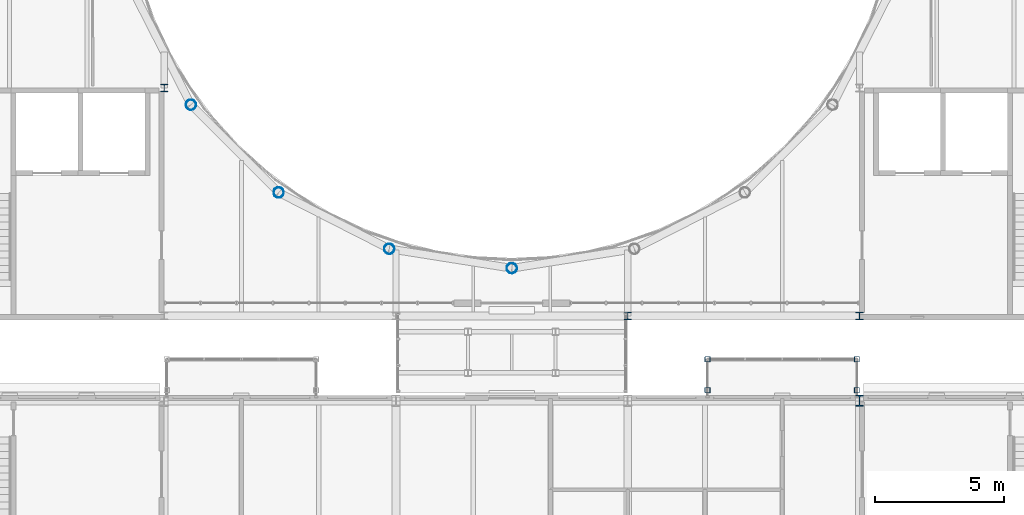
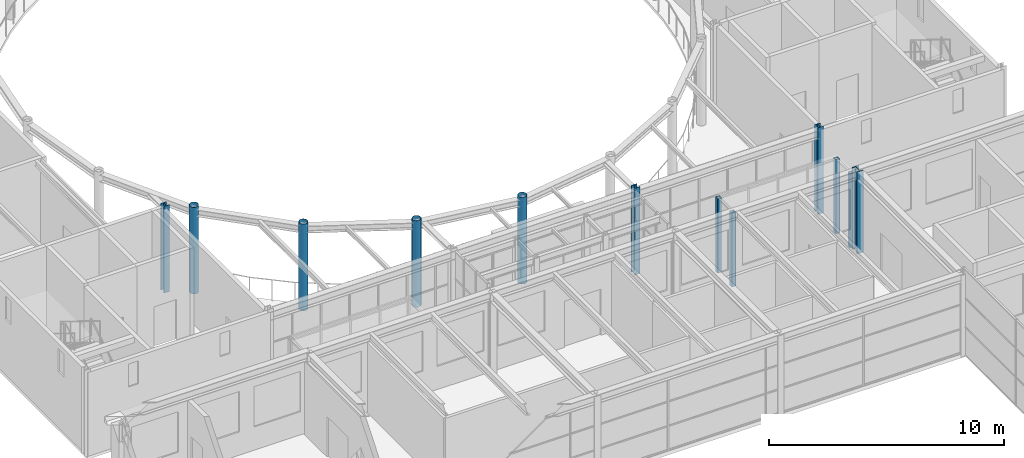
# One storey, part 5 of 70: 12 columns.
"""IFC4 building model written with IfcOpenShell, lengths in metres."""

from ifc_helpers import new_model, si_unit, direction, frame, origin, origin_2d, place, context, subcontext, project, spatial, hollow_rectangle, hollow_circle, i_section, extrude, material, material_profile, profile_set, type_object, element, save


model = new_model("IFC4")

# Units and contexts
model_context = context("Model", 3, precision=1e-05, world=origin(), true_north=direction((0.0, 1.0)))
body_context = subcontext(model_context, "Body", "Model", "MODEL_VIEW")
ifc_project = project(units=[si_unit("LENGTHUNIT", "METRE"), si_unit("AREAUNIT", "SQUARE_METRE"), si_unit("VOLUMEUNIT", "CUBIC_METRE"), si_unit("PLANEANGLEUNIT", "RADIAN"), si_unit("MASSUNIT", "GRAM", prefix="KILO")], contexts=[model_context])

# Site, building, storey
site_placement = place(None, origin())
site = spatial("IfcSite", under=ifc_project, at=site_placement, CompositionType="ELEMENT")
building_placement = place(site_placement, origin())
building = spatial("IfcBuilding", under=site, at=building_placement, Name="Kallimachos Central Library", CompositionType="ELEMENT")
storey_placement = place(building_placement, frame((0.0, 0.0, 18.89990234375)))
storey = spatial("IfcBuildingStorey", under=building, at=storey_placement, Name="L04", CompositionType="ELEMENT", Elevation=18.89990234375)

# Columns
ifc_material_1 = material(Name="Steel S355J2H", Category="steel")
ifc_material_profile_1 = material_profile(ifc_material_1, hollow_circle(Radius=0.203125, WallThickness=0.012451171875, at=origin_2d()), Name="CHS 406.4x12.5")
ifc_profile_set_1 = profile_set([ifc_material_profile_1], Name="Steel S355J2H")
column_type_1 = type_object("IfcColumnType", Name="CHS 406.4x12.5 column", PredefinedType="COLUMN", material=ifc_profile_set_1)
for number, where, z_axis, x_axis, name in (
    (1, (75.541015625, 95.34814453125, 0.0), (0.0, 0.0, 1.0), (1.0, 0.0, 0.0), "V1-COL-L04-027"),
    (2, (78.947998046875, 91.941162109375, 0.0), (0.0, 0.0, 1.0), (1.0, 0.0, 0.0), "V1-COL-L04-028"),
    (3, (83.2412109375, 89.753662109375, 0.0), (0.0, 0.0, 1.0), (1.0, 0.0, 0.0), "V1-COL-L04-029"),
    (4, (88.0, 89.0, 0.0), (0.0, 0.0, 1.0), (1.0, 0.0, 0.0), "V1-COL-L04-030"),
):
    element("IfcColumn", number, at=place(storey_placement, frame(where, z_axis=z_axis, x_axis=x_axis)), inside=storey, type_object=column_type_1, Name=name, PredefinedType="COLUMN", context=body_context, shape_type="SweptSolid", body=[
        extrude(hollow_circle(Radius=0.203125, WallThickness=0.012451171875, at=origin_2d()), origin(), (0.0, 0.0, 1.0), 4.5),
    ])
ifc_material_2 = material(Name="Steel S355J2", Category="steel")
ifc_material_profile_2 = material_profile(ifc_material_2, i_section(OverallWidth=0.280029296875, OverallDepth=0.280029296875, WebThickness=0.010498046875, FlangeThickness=0.01806640625, FilletRadius=0.02392578125, at=origin_2d()), Name="HEB 280")
ifc_profile_set_2 = profile_set([ifc_material_profile_2], Name="Steel S355J2")
column_type_2 = type_object("IfcColumnType", Name="HEB 280 column", PredefinedType="COLUMN", material=ifc_profile_set_2)
for number, where, z_axis, x_axis, name in (
    (5, (92.5, 87.14990234375, 0.0), (0.0, 0.0, 1.0), (1.0, 0.0, 0.0), "V1-COL-L04-004"),
    (6, (101.5, 87.14990234375, 0.0), (0.0, 0.0, 1.0), (1.0, 0.0, 0.0), "V1-COL-L04-005"),
    (7, (74.5, 96.0, 0.0), (0.0, 0.0, 1.0), (1.0, 0.0, 0.0), "V1-COL-L04-008"),
):
    element("IfcColumn", number, at=place(storey_placement, frame(where, z_axis=z_axis, x_axis=x_axis)), inside=storey, type_object=column_type_2, Name=name, PredefinedType="COLUMN", context=body_context, shape_type="SweptSolid", body=[
        extrude(i_section(OverallWidth=0.280029296875, OverallDepth=0.280029296875, WebThickness=0.010498046875, FlangeThickness=0.01806640625, FilletRadius=0.02392578125, at=origin_2d()), origin(), (0.0, 0.0, 1.0), 4.5),
    ])
ifc_material_3 = material(Name="Steel S355J2", Category="steel")
ifc_material_profile_3 = material_profile(ifc_material_3, i_section(OverallWidth=0.306884765625, OverallDepth=0.431884765625, WebThickness=0.02099609375, FlangeThickness=0.0400390625, FilletRadius=0.027099609375, at=origin_2d()), Name="HEM 400")
ifc_profile_set_3 = profile_set([ifc_material_profile_3], Name="Steel S355J2")
column_type_3 = type_object("IfcColumnType", Name="HEM 400 column", PredefinedType="COLUMN", material=ifc_profile_set_3)
column_placement = place(storey_placement, frame((101.5, 83.85009765625, 0.0), z_axis=(0.0, 0.0, 1.0), x_axis=(1.0, 0.0, 0.0)))
element("IfcColumn", 8, at=column_placement, inside=storey, type_object=column_type_3, Name="V4-COL-L04-007", PredefinedType="COLUMN", context=body_context, shape_type="SweptSolid", body=[
    extrude(i_section(OverallWidth=0.306884765625, OverallDepth=0.431884765625, WebThickness=0.02099609375, FlangeThickness=0.0400390625, FilletRadius=0.027099609375, at=origin_2d()), origin(), (0.0, 0.0, 1.0), 4.25),
])
ifc_material_4 = material(Name="Steel S355J2H", Category="steel")
ifc_material_profile_4 = material_profile(ifc_material_4, hollow_rectangle(XDim=0.199951171875, YDim=0.199951171875, WallThickness=0.010009765625, InnerFilletRadius=0.010009765625, OuterFilletRadius=0.014892578125, at=origin_2d()), Name="SHS 200x200x10")
ifc_profile_set_4 = profile_set([ifc_material_profile_4], Name="Steel S355J2H")
column_type_4 = type_object("IfcColumnType", Name="SHS 200x200x10 column", PredefinedType="COLUMN", material=ifc_profile_set_4)
for number, where, z_axis, x_axis, name in (
    (9, (95.60009765625, 84.26611328125, 0.0), (0.0, 0.0, 1.0), (1.0, 0.0, 0.0), "Tribune bay N2 column 1"),
    (10, (101.39990234375, 84.26611328125, 0.0), (0.0, 0.0, 1.0), (1.0, 0.0, 0.0), "Tribune bay N2 column 2"),
    (11, (95.60009765625, 85.466064453125, 0.0), (0.0, 0.0, 1.0), (1.0, 0.0, 0.0), "Tribune bay N2 column 3"),
    (12, (101.39990234375, 85.466064453125, 0.0), (0.0, 0.0, 1.0), (1.0, 0.0, 0.0), "Tribune bay N2 column 4"),
):
    element("IfcColumn", number, at=place(storey_placement, frame(where, z_axis=z_axis, x_axis=x_axis)), inside=storey, type_object=column_type_4, Name=name, PredefinedType="COLUMN", context=body_context, shape_type="SweptSolid", body=[
        extrude(hollow_rectangle(XDim=0.199951171875, YDim=0.199951171875, WallThickness=0.010009765625, InnerFilletRadius=0.010009765625, OuterFilletRadius=0.014892578125, at=origin_2d()), origin(), (0.0, 0.0, 1.0), 3.85009765625),
    ])

save(model, "model.ifc")
